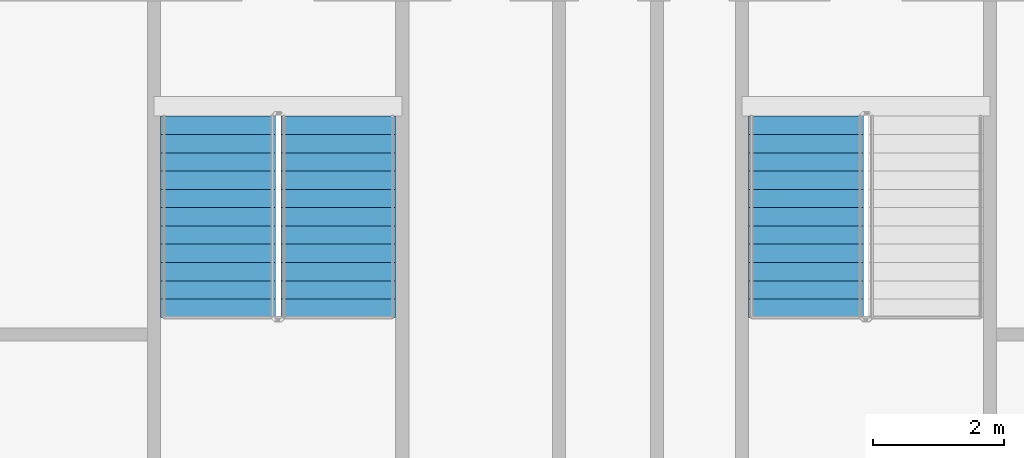
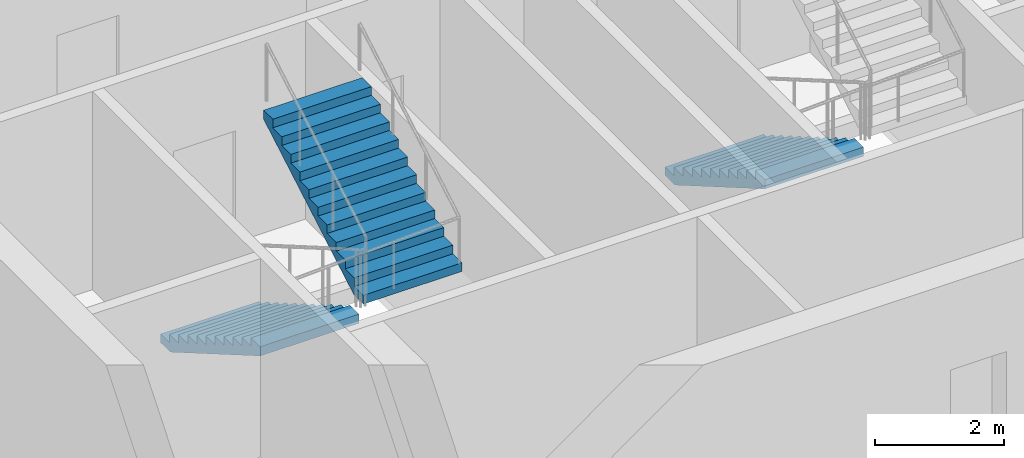
# One storey, part 8 of 15: 3 stair flights, 2 elements without a shape of their own.
"""IFC4 building model written with IfcOpenShell, lengths in metres."""

import ifcopenshell
import ifcopenshell.guid

model = None  # the IFC model being written
_history = None  # IfcOwnerHistory: only IFC2X3 demands one
_inside = {}  # id of a spatial element -> (the spatial element, [elements in it])
_under = {}  # id of a project, library or spatial element -> (it, [spatial elements below it])
_declared = {}  # id of a project -> (the project, [libraries it declares])
_typed = {}  # id of a type object -> (the type object, [elements of that type])
_made_of = {}  # id of a material, layer set ... -> (it, [elements and type objects made of it])


def new_model(schema):
    """Start an empty IFC model of exactly this schema.

    Asked for "IFC4X3", IfcOpenShell would pick the latest addendum, in which some entities
    have other attributes; the version numbers below select the first issue.
    IFC2X3 requires an IfcOwnerHistory on every rooted entity: one is made here for all.
    """
    global model, _history
    if schema == "IFC4X3":
        model = ifcopenshell.file(schema_version=(4, 3, 0, 0))
    else:
        model = ifcopenshell.file(schema=schema)
    _inside.clear()
    _under.clear()
    _declared.clear()
    _typed.clear()
    _made_of.clear()
    _history = None
    if model.schema == "IFC2X3":
        org = make("IfcOrganization", Name="unknown")
        user = make(
            "IfcPersonAndOrganization",
            ThePerson=make("IfcPerson", FamilyName="unknown"),
            TheOrganization=org,
        )
        app = make(
            "IfcApplication",
            ApplicationDeveloper=org,
            Version="unknown",
            ApplicationFullName="unknown",
            ApplicationIdentifier="unknown",
        )
        _history = make(
            "IfcOwnerHistory",
            OwningUser=user,
            OwningApplication=app,
            ChangeAction="ADDED",
            CreationDate=0,
        )
    return model


def make(cls, **values):
    """One entity of the class cls with the attributes given. An attribute that is None is left unset."""
    return model.create_entity(
        cls, **{name: value for name, value in values.items() if value is not None}
    )


def rooted(cls, **values):
    """An entity with a GlobalId (a new one), such as an element, a storey or a relation."""
    return make(cls, GlobalId=ifcopenshell.guid.new(), OwnerHistory=_history, **values)


def si_unit(unit_type, name, prefix=None):
    """IfcSIUnit, for example si_unit("LENGTHUNIT", "METRE", prefix="MILLI")."""
    return make("IfcSIUnit", UnitType=unit_type, Prefix=prefix, Name=name)


def assignment(units):
    """IfcUnitAssignment: the units of a project."""
    return None if units is None else make("IfcUnitAssignment", Units=units)


def point(xyz):
    """IfcCartesianPoint."""
    return None if xyz is None else make("IfcCartesianPoint", Coordinates=xyz)


def direction(xyz):
    """IfcDirection."""
    return None if xyz is None else make("IfcDirection", DirectionRatios=xyz)


def frame(location, z_axis=None, x_axis=None):
    """IfcAxis2Placement3D, a coordinate frame: its origin and axes. An axis left out is left unset."""
    return make(
        "IfcAxis2Placement3D",
        Location=point(location),
        Axis=direction(z_axis),
        RefDirection=direction(x_axis),
    )


def origin():
    """The frame at (0, 0, 0) with its axes left unset."""
    return frame((0.0, 0.0, 0.0))


def place(relative_to, where):
    """IfcLocalPlacement: puts the frame where relative to a parent placement (None: the world)."""
    return make(
        "IfcLocalPlacement", PlacementRelTo=relative_to, RelativePlacement=where
    )


def context(
    kind, dimensions, precision=None, world=None, true_north=None, identifier=None
):
    """IfcGeometricRepresentationContext, for example the 3D "Model" context."""
    return make(
        "IfcGeometricRepresentationContext",
        ContextIdentifier=identifier,
        ContextType=kind,
        CoordinateSpaceDimension=dimensions,
        Precision=precision,
        WorldCoordinateSystem=world,
        TrueNorth=true_north,
    )


def subcontext(parent, identifier, kind, view, scale=None):
    """IfcGeometricRepresentationSubContext, for example "Body" below "Model"."""
    return make(
        "IfcGeometricRepresentationSubContext",
        ContextIdentifier=identifier,
        ContextType=kind,
        ParentContext=parent,
        TargetScale=scale,
        TargetView=view,
    )


def project(units=None, contexts=None):
    """IfcProject with its units and contexts."""
    return rooted(
        "IfcProject",
        Name="project",
        RepresentationContexts=contexts,
        UnitsInContext=assignment(units),
    )


def spatial(cls, under=None, at=None, **own):
    """A site, building, storey or space (cls), placed at a placement, below another one or the project."""
    s = rooted(cls, ObjectPlacement=at, **own)
    if under is not None:
        _under.setdefault(under.id(), (under, []))[1].append(s)
    return s


def faces_of(points, faces, orient=None, outer=None):
    """IfcFace entities. A face is a list of loops; a loop is a list of indices into points, from 0.

    orient and outer hold one flag for each loop. By default every Orientation is true, the
    first loop of a face is its IfcFaceOuterBound and the others are IfcFaceBound.
    """
    made = []
    for i, loops in enumerate(faces):
        bounds = []
        for j, loop in enumerate(loops):
            is_outer = j == 0 if outer is None else outer[i][j]
            bounds.append(
                make(
                    "IfcFaceOuterBound" if is_outer else "IfcFaceBound",
                    Bound=make("IfcPolyLoop", Polygon=[points[k] for k in loop]),
                    Orientation=True if orient is None else orient[i][j],
                )
            )
        made.append(make("IfcFace", Bounds=bounds))
    return made


def faceted_brep(points, faces, orient=None, outer=None, voids=None):
    """IfcFacetedBrep: a solid bounded by flat faces; with voids (closed shells), ...WithVoids."""
    shared = [point(p) for p in points]
    hull = make("IfcClosedShell", CfsFaces=faces_of(shared, faces, orient, outer))
    if voids is None:
        return make("IfcFacetedBrep", Outer=hull)
    return make(
        "IfcFacetedBrepWithVoids",
        Outer=hull,
        Voids=[
            make(cls, CfsFaces=faces_of(shared, fs, o, b)) for cls, fs, o, b in voids
        ],
    )


def shape(context_of_items, identifier, shape_type, items):
    """IfcShapeRepresentation: the items that make up one representation, for example the "Body"."""
    return make(
        "IfcShapeRepresentation",
        ContextOfItems=context_of_items,
        RepresentationIdentifier=identifier,
        RepresentationType=shape_type,
        Items=items,
    )


def material(Name=None, Category=None):
    """IfcMaterial."""
    return make("IfcMaterial", Name=Name, Category=Category)


def made_of(thing, what):
    """Note that an element or type object is made of a material, layer set ...; save() writes the relation."""
    if what is not None:
        _made_of.setdefault(what.id(), (what, []))[1].append(thing)
    return thing


def type_object(cls, material=None, **own):
    """A type object (cls), such as IfcWallType, which elements share."""
    return made_of(rooted(cls, **own), material)


def element(
    cls,
    number,
    at=None,
    inside=None,
    cuts=None,
    type_object=None,
    material=None,
    context=None,
    identifier="Body",
    shape_type=None,
    held_by="IfcProductDefinitionShape",
    body=None,
    shapes=None,
    **own,
):
    """One element of the class cls, such as IfcWall. Its Tag is "e" and its number.

    at: its placement. inside: the storey or other place that contains it. cuts: it is an
    opening in that element (IfcRelVoidsElement). A single representation is given by context,
    identifier, shape_type and body (its items); several are given by shapes. held_by: the class
    of the entity that holds the representations. save() writes the other relations.
    """
    e = rooted(cls, Tag="e%d" % number, ObjectPlacement=at, **own)
    if body is not None:
        shapes = [shape(context, identifier, shape_type, body)]
    if shapes is not None:
        e.Representation = make(held_by, Representations=shapes)
    if inside is not None:
        _inside.setdefault(inside.id(), (inside, []))[1].append(e)
    if cuts is not None:
        rooted(
            "IfcRelVoidsElement", RelatingBuildingElement=cuts, RelatedOpeningElement=e
        )
    if type_object is not None:
        _typed.setdefault(type_object.id(), (type_object, []))[1].append(e)
    return made_of(e, material)


def aggregate(whole, parts):
    """IfcRelAggregates: a whole, such as a stair, and the parts it consists of."""
    return rooted("IfcRelAggregates", RelatingObject=whole, RelatedObjects=parts)


def save(model, path):
    """Write the relations noted so far, then the file.

    IfcRelAggregates (storeys below a building ...), IfcRelContainedInSpatialStructure (elements
    in a storey), IfcRelDefinesByType, IfcRelAssociatesMaterial and IfcRelDeclares: one each for
    every whole, place, type object, material and project.
    """
    for whole, parts in _under.values():
        aggregate(whole, parts)
    for where, things in _inside.values():
        rooted(
            "IfcRelContainedInSpatialStructure",
            RelatedElements=things,
            RelatingStructure=where,
        )
    for kind, things in _typed.values():
        rooted("IfcRelDefinesByType", RelatedObjects=things, RelatingType=kind)
    for what, things in _made_of.values():
        rooted("IfcRelAssociatesMaterial", RelatedObjects=things, RelatingMaterial=what)
    for by, libraries in _declared.values():
        rooted("IfcRelDeclares", RelatingContext=by, RelatedDefinitions=libraries)
    model.write(path)


model = new_model("IFC4")

# Units and contexts
model_context = context("Model", 3, precision=1e-05, world=origin(), true_north=direction((0.0, 1.0)))
body_context = subcontext(model_context, "Body", "Model", "MODEL_VIEW")
ifc_project = project(units=[si_unit("LENGTHUNIT", "METRE"), si_unit("AREAUNIT", "SQUARE_METRE"), si_unit("VOLUMEUNIT", "CUBIC_METRE"), si_unit("PLANEANGLEUNIT", "RADIAN"), si_unit("MASSUNIT", "GRAM", prefix="KILO")], contexts=[model_context])

# Site, building, storey
site_placement = place(None, origin())
site = spatial("IfcSite", under=ifc_project, at=site_placement, CompositionType="ELEMENT")
building_placement = place(site_placement, origin())
building = spatial("IfcBuilding", under=site, at=building_placement, Name="Tarsis Ring Headquarters", CompositionType="ELEMENT")
storey_placement = place(building_placement, frame((0.0, 0.0, 319.699951171875)))
storey = spatial("IfcBuildingStorey", under=building, at=storey_placement, Name="L75", CompositionType="ELEMENT", Elevation=319.699951171875)

# Stair, stair flights
ifc_material_1 = material(Name="Core stair 1760")
stair_type = type_object("IfcStairType", Name="Core stair 1760", PredefinedType="HALF_TURN_STAIR", material=ifc_material_1)
stair_1_placement = place(storey_placement, origin())
stair_1 = element("IfcStair", 1, at=stair_1_placement, inside=storey, type_object=stair_type, Name="L75 Exit stair C", PredefinedType="HALF_TURN_STAIR")
ifc_material_2 = material(Name="Concrete C40/50", Category="concrete")
stair_flight_type = type_object("IfcStairFlightType", Name="Core stair flight 1760", PredefinedType="STRAIGHT", material=ifc_material_2)
stair_flight_1_placement = place(storey_placement, frame((-5.419921875, -3.659912109375, 0.0), z_axis=(0.0, 0.0, 1.0), x_axis=(0.0, -1.0, 0.0)))
stair_flight_1 = element("IfcStairFlight", 2, at=stair_flight_1_placement, type_object=stair_flight_type, Name="Stair ST3 flight 1", NumberOfRisers=12, NumberOfTreads=11, PredefinedType="STRAIGHT", RiserHeight=0.1625, TreadLength=0.28, context=body_context, shape_type="Brep", body=[
    faceted_brep([(0.0, 0.8798828125, 0.0), (0.0, 0.8798828125, 0.16259765625), (0.280029296875, 0.8798828125, 0.16259765625), (0.280029296875, 0.8798828125, 0.324951171875), (0.56005859375, 0.8798828125, 0.324951171875), (0.56005859375, 0.8798828125, 0.487548828125), (0.840087890625, 0.8798828125, 0.487548828125), (0.840087890625, 0.8798828125, 0.64990234375), (1.1201171875, 0.8798828125, 0.64990234375), (1.1201171875, 0.8798828125, 0.8125), (1.39990234375, 0.8798828125, 0.8125), (1.39990234375, 0.8798828125, 0.97509765625), (1.679931640625, 0.8798828125, 0.97509765625), (1.679931640625, 0.8798828125, 1.137451171875), (1.9599609375, 0.8798828125, 1.137451171875), (1.9599609375, 0.8798828125, 1.300048828125), (2.239990234375, 0.8798828125, 1.300048828125), (2.239990234375, 0.8798828125, 1.46240234375), (2.52001953125, 0.8798828125, 1.46240234375), (2.52001953125, 0.8798828125, 1.625), (2.800048828125, 0.8798828125, 1.625), (2.800048828125, 0.8798828125, 1.78759765625), (3.080078125, 0.8798828125, 1.78759765625), (3.080078125, 0.8798828125, 1.6142578125), (0.298583984375, 0.8798828125, 0.0), (0.298583984375, -0.8798828125, 0.0), (3.080078125, -0.8798828125, 1.6142578125), (3.080078125, -0.8798828125, 1.78759765625), (2.800048828125, -0.8798828125, 1.78759765625), (2.800048828125, -0.8798828125, 1.625), (2.52001953125, -0.8798828125, 1.625), (2.52001953125, -0.8798828125, 1.46240234375), (2.239990234375, -0.8798828125, 1.46240234375), (2.239990234375, -0.8798828125, 1.300048828125), (1.9599609375, -0.8798828125, 1.300048828125), (1.9599609375, -0.8798828125, 1.137451171875), (1.679931640625, -0.8798828125, 1.137451171875), (1.679931640625, -0.8798828125, 0.97509765625), (1.39990234375, -0.8798828125, 0.97509765625), (1.39990234375, -0.8798828125, 0.8125), (1.1201171875, -0.8798828125, 0.8125), (1.1201171875, -0.8798828125, 0.64990234375), (0.840087890625, -0.8798828125, 0.64990234375), (0.840087890625, -0.8798828125, 0.487548828125), (0.56005859375, -0.8798828125, 0.487548828125), (0.56005859375, -0.8798828125, 0.324951171875), (0.280029296875, -0.8798828125, 0.324951171875), (0.280029296875, -0.8798828125, 0.16259765625), (0.0, -0.8798828125, 0.16259765625), (0.0, -0.8798828125, 0.0), (0.0, -0.43994140625, 0.16259765625), (0.0, -0.43994140625, 0.0), (0.0, 0.0, 0.16259765625), (0.0, 0.0, 0.0), (0.0, 0.43994140625, 0.16259765625), (0.0, 0.43994140625, 0.0), (0.280029296875, -0.43994140625, 0.16259765625), (0.280029296875, 0.0, 0.16259765625), (0.280029296875, 0.43994140625, 0.16259765625), (0.280029296875, -0.43994140625, 0.324951171875), (0.280029296875, 0.0, 0.324951171875), (0.280029296875, 0.43994140625, 0.324951171875), (0.56005859375, -0.43994140625, 0.324951171875), (0.56005859375, 0.0, 0.324951171875), (0.56005859375, 0.43994140625, 0.324951171875), (0.56005859375, -0.43994140625, 0.487548828125), (0.56005859375, 0.0, 0.487548828125), (0.56005859375, 0.43994140625, 0.487548828125), (0.840087890625, -0.43994140625, 0.487548828125), (0.840087890625, 0.0, 0.487548828125), (0.840087890625, 0.43994140625, 0.487548828125), (0.840087890625, -0.43994140625, 0.64990234375), (0.840087890625, 0.0, 0.64990234375), (0.840087890625, 0.43994140625, 0.64990234375), (1.1201171875, -0.43994140625, 0.64990234375), (1.1201171875, 0.0, 0.64990234375), (1.1201171875, 0.43994140625, 0.64990234375), (1.1201171875, -0.43994140625, 0.8125), (1.1201171875, 0.0, 0.8125), (1.1201171875, 0.43994140625, 0.8125), (1.39990234375, -0.43994140625, 0.8125), (1.39990234375, 0.0, 0.8125), (1.39990234375, 0.43994140625, 0.8125), (1.39990234375, -0.43994140625, 0.97509765625), (1.39990234375, 0.0, 0.97509765625), (1.39990234375, 0.43994140625, 0.97509765625), (1.679931640625, -0.43994140625, 0.97509765625), (1.679931640625, 0.0, 0.97509765625), (1.679931640625, 0.43994140625, 0.97509765625), (1.679931640625, -0.43994140625, 1.137451171875), (1.679931640625, 0.0, 1.137451171875), (1.679931640625, 0.43994140625, 1.137451171875), (1.9599609375, -0.43994140625, 1.137451171875), (1.9599609375, 0.0, 1.137451171875), (1.9599609375, 0.43994140625, 1.137451171875), (1.9599609375, -0.43994140625, 1.300048828125), (1.9599609375, 0.0, 1.300048828125), (1.9599609375, 0.43994140625, 1.300048828125), (2.239990234375, -0.43994140625, 1.300048828125), (2.239990234375, 0.0, 1.300048828125), (2.239990234375, 0.43994140625, 1.300048828125), (2.239990234375, -0.43994140625, 1.46240234375), (2.239990234375, 0.0, 1.46240234375), (2.239990234375, 0.43994140625, 1.46240234375), (2.52001953125, -0.43994140625, 1.46240234375), (2.52001953125, 0.0, 1.46240234375), (2.52001953125, 0.43994140625, 1.46240234375), (2.52001953125, -0.43994140625, 1.625), (2.52001953125, 0.0, 1.625), (2.52001953125, 0.43994140625, 1.625), (2.800048828125, -0.43994140625, 1.625), (2.800048828125, 0.0, 1.625), (2.800048828125, 0.43994140625, 1.625), (2.800048828125, -0.43994140625, 1.78759765625), (2.800048828125, 0.0, 1.78759765625), (2.800048828125, 0.43994140625, 1.78759765625), (3.080078125, -0.43994140625, 1.78759765625), (3.080078125, 0.0, 1.78759765625), (3.080078125, 0.43994140625, 1.78759765625), (3.080078125, -0.43994140625, 1.6142578125), (3.080078125, 0.0, 1.6142578125), (3.080078125, 0.43994140625, 1.6142578125), (0.298583984375, -0.43994140625, 0.0), (0.298583984375, 0.0, 0.0), (0.298583984375, 0.43994140625, 0.0)], [[[0, 1, 2, 3, 4, 5, 6, 7, 8, 9, 10, 11, 12, 13, 14, 15, 16, 17, 18, 19, 20, 21, 22, 23, 24]], [[25, 26, 27, 28, 29, 30, 31, 32, 33, 34, 35, 36, 37, 38, 39, 40, 41, 42, 43, 44, 45, 46, 47, 48, 49]], [[49, 48, 50, 51]], [[51, 50, 52, 53]], [[53, 52, 54, 55]], [[55, 54, 1, 0]], [[48, 47, 56, 50]], [[50, 56, 57, 52]], [[52, 57, 58, 54]], [[54, 58, 2, 1]], [[47, 46, 59, 56]], [[56, 59, 60, 57]], [[57, 60, 61, 58]], [[58, 61, 3, 2]], [[46, 45, 62, 59]], [[59, 62, 63, 60]], [[60, 63, 64, 61]], [[61, 64, 4, 3]], [[45, 44, 65, 62]], [[62, 65, 66, 63]], [[63, 66, 67, 64]], [[64, 67, 5, 4]], [[44, 43, 68, 65]], [[65, 68, 69, 66]], [[66, 69, 70, 67]], [[67, 70, 6, 5]], [[43, 42, 71, 68]], [[68, 71, 72, 69]], [[69, 72, 73, 70]], [[70, 73, 7, 6]], [[42, 41, 74, 71]], [[71, 74, 75, 72]], [[72, 75, 76, 73]], [[73, 76, 8, 7]], [[41, 40, 77, 74]], [[74, 77, 78, 75]], [[75, 78, 79, 76]], [[76, 79, 9, 8]], [[40, 39, 80, 77]], [[77, 80, 81, 78]], [[78, 81, 82, 79]], [[79, 82, 10, 9]], [[39, 38, 83, 80]], [[80, 83, 84, 81]], [[81, 84, 85, 82]], [[82, 85, 11, 10]], [[38, 37, 86, 83]], [[83, 86, 87, 84]], [[84, 87, 88, 85]], [[85, 88, 12, 11]], [[37, 36, 89, 86]], [[86, 89, 90, 87]], [[87, 90, 91, 88]], [[88, 91, 13, 12]], [[36, 35, 92, 89]], [[89, 92, 93, 90]], [[90, 93, 94, 91]], [[91, 94, 14, 13]], [[35, 34, 95, 92]], [[92, 95, 96, 93]], [[93, 96, 97, 94]], [[94, 97, 15, 14]], [[34, 33, 98, 95]], [[95, 98, 99, 96]], [[96, 99, 100, 97]], [[97, 100, 16, 15]], [[33, 32, 101, 98]], [[98, 101, 102, 99]], [[99, 102, 103, 100]], [[100, 103, 17, 16]], [[32, 31, 104, 101]], [[101, 104, 105, 102]], [[102, 105, 106, 103]], [[103, 106, 18, 17]], [[31, 30, 107, 104]], [[104, 107, 108, 105]], [[105, 108, 109, 106]], [[106, 109, 19, 18]], [[30, 29, 110, 107]], [[107, 110, 111, 108]], [[108, 111, 112, 109]], [[109, 112, 20, 19]], [[29, 28, 113, 110]], [[110, 113, 114, 111]], [[111, 114, 115, 112]], [[112, 115, 21, 20]], [[28, 27, 116, 113]], [[113, 116, 117, 114]], [[114, 117, 118, 115]], [[115, 118, 22, 21]], [[27, 26, 119, 116]], [[116, 119, 120, 117]], [[117, 120, 121, 118]], [[118, 121, 23, 22]], [[26, 25, 122, 119]], [[119, 122, 123, 120]], [[120, 123, 124, 121]], [[121, 124, 24, 23]], [[25, 49, 51, 122]], [[122, 51, 53, 123]], [[123, 53, 55, 124]], [[124, 55, 0, 24]]]),
])
stair_flight_2_placement = place(storey_placement, frame((-3.580078125, -6.739990234375, 1.949951171875), z_axis=(0.0, 0.0, 1.0), x_axis=(0.0, 1.0, 0.0)))
stair_flight_2 = element("IfcStairFlight", 3, at=stair_flight_2_placement, type_object=stair_flight_type, Name="Stair ST3 flight 2", NumberOfRisers=12, NumberOfTreads=11, PredefinedType="STRAIGHT", RiserHeight=0.1625, TreadLength=0.28, context=body_context, shape_type="Brep", body=[
    faceted_brep([(0.0, 0.8798828125, 0.0), (0.0, 0.8798828125, 0.16259765625), (0.280029296875, 0.8798828125, 0.16259765625), (0.280029296875, 0.8798828125, 0.324951171875), (0.56005859375, 0.8798828125, 0.324951171875), (0.56005859375, 0.8798828125, 0.487548828125), (0.840087890625, 0.8798828125, 0.487548828125), (0.840087890625, 0.8798828125, 0.64990234375), (1.1201171875, 0.8798828125, 0.64990234375), (1.1201171875, 0.8798828125, 0.8125), (1.39990234375, 0.8798828125, 0.8125), (1.39990234375, 0.8798828125, 0.97509765625), (1.679931640625, 0.8798828125, 0.97509765625), (1.679931640625, 0.8798828125, 1.137451171875), (1.9599609375, 0.8798828125, 1.137451171875), (1.9599609375, 0.8798828125, 1.300048828125), (2.239990234375, 0.8798828125, 1.300048828125), (2.239990234375, 0.8798828125, 1.46240234375), (2.52001953125, 0.8798828125, 1.46240234375), (2.52001953125, 0.8798828125, 1.625), (2.800048828125, 0.8798828125, 1.625), (2.800048828125, 0.8798828125, 1.78759765625), (3.080078125, 0.8798828125, 1.78759765625), (3.080078125, 0.8798828125, 1.6142578125), (0.298583984375, 0.8798828125, 0.0), (0.298583984375, -0.8798828125, 0.0), (3.080078125, -0.8798828125, 1.6142578125), (3.080078125, -0.8798828125, 1.78759765625), (2.800048828125, -0.8798828125, 1.78759765625), (2.800048828125, -0.8798828125, 1.625), (2.52001953125, -0.8798828125, 1.625), (2.52001953125, -0.8798828125, 1.46240234375), (2.239990234375, -0.8798828125, 1.46240234375), (2.239990234375, -0.8798828125, 1.300048828125), (1.9599609375, -0.8798828125, 1.300048828125), (1.9599609375, -0.8798828125, 1.137451171875), (1.679931640625, -0.8798828125, 1.137451171875), (1.679931640625, -0.8798828125, 0.97509765625), (1.39990234375, -0.8798828125, 0.97509765625), (1.39990234375, -0.8798828125, 0.8125), (1.1201171875, -0.8798828125, 0.8125), (1.1201171875, -0.8798828125, 0.64990234375), (0.840087890625, -0.8798828125, 0.64990234375), (0.840087890625, -0.8798828125, 0.487548828125), (0.56005859375, -0.8798828125, 0.487548828125), (0.56005859375, -0.8798828125, 0.324951171875), (0.280029296875, -0.8798828125, 0.324951171875), (0.280029296875, -0.8798828125, 0.16259765625), (0.0, -0.8798828125, 0.16259765625), (0.0, -0.8798828125, 0.0), (0.0, -0.43994140625, 0.16259765625), (0.0, -0.43994140625, 0.0), (0.0, 0.0, 0.16259765625), (0.0, 0.0, 0.0), (0.0, 0.43994140625, 0.16259765625), (0.0, 0.43994140625, 0.0), (0.280029296875, -0.43994140625, 0.16259765625), (0.280029296875, 0.0, 0.16259765625), (0.280029296875, 0.43994140625, 0.16259765625), (0.280029296875, -0.43994140625, 0.324951171875), (0.280029296875, 0.0, 0.324951171875), (0.280029296875, 0.43994140625, 0.324951171875), (0.56005859375, -0.43994140625, 0.324951171875), (0.56005859375, 0.0, 0.324951171875), (0.56005859375, 0.43994140625, 0.324951171875), (0.56005859375, -0.43994140625, 0.487548828125), (0.56005859375, 0.0, 0.487548828125), (0.56005859375, 0.43994140625, 0.487548828125), (0.840087890625, -0.43994140625, 0.487548828125), (0.840087890625, 0.0, 0.487548828125), (0.840087890625, 0.43994140625, 0.487548828125), (0.840087890625, -0.43994140625, 0.64990234375), (0.840087890625, 0.0, 0.64990234375), (0.840087890625, 0.43994140625, 0.64990234375), (1.1201171875, -0.43994140625, 0.64990234375), (1.1201171875, 0.0, 0.64990234375), (1.1201171875, 0.43994140625, 0.64990234375), (1.1201171875, -0.43994140625, 0.8125), (1.1201171875, 0.0, 0.8125), (1.1201171875, 0.43994140625, 0.8125), (1.39990234375, -0.43994140625, 0.8125), (1.39990234375, 0.0, 0.8125), (1.39990234375, 0.43994140625, 0.8125), (1.39990234375, -0.43994140625, 0.97509765625), (1.39990234375, 0.0, 0.97509765625), (1.39990234375, 0.43994140625, 0.97509765625), (1.679931640625, -0.43994140625, 0.97509765625), (1.679931640625, 0.0, 0.97509765625), (1.679931640625, 0.43994140625, 0.97509765625), (1.679931640625, -0.43994140625, 1.137451171875), (1.679931640625, 0.0, 1.137451171875), (1.679931640625, 0.43994140625, 1.137451171875), (1.9599609375, -0.43994140625, 1.137451171875), (1.9599609375, 0.0, 1.137451171875), (1.9599609375, 0.43994140625, 1.137451171875), (1.9599609375, -0.43994140625, 1.300048828125), (1.9599609375, 0.0, 1.300048828125), (1.9599609375, 0.43994140625, 1.300048828125), (2.239990234375, -0.43994140625, 1.300048828125), (2.239990234375, 0.0, 1.300048828125), (2.239990234375, 0.43994140625, 1.300048828125), (2.239990234375, -0.43994140625, 1.46240234375), (2.239990234375, 0.0, 1.46240234375), (2.239990234375, 0.43994140625, 1.46240234375), (2.52001953125, -0.43994140625, 1.46240234375), (2.52001953125, 0.0, 1.46240234375), (2.52001953125, 0.43994140625, 1.46240234375), (2.52001953125, -0.43994140625, 1.625), (2.52001953125, 0.0, 1.625), (2.52001953125, 0.43994140625, 1.625), (2.800048828125, -0.43994140625, 1.625), (2.800048828125, 0.0, 1.625), (2.800048828125, 0.43994140625, 1.625), (2.800048828125, -0.43994140625, 1.78759765625), (2.800048828125, 0.0, 1.78759765625), (2.800048828125, 0.43994140625, 1.78759765625), (3.080078125, -0.43994140625, 1.78759765625), (3.080078125, 0.0, 1.78759765625), (3.080078125, 0.43994140625, 1.78759765625), (3.080078125, -0.43994140625, 1.6142578125), (3.080078125, 0.0, 1.6142578125), (3.080078125, 0.43994140625, 1.6142578125), (0.298583984375, -0.43994140625, 0.0), (0.298583984375, 0.0, 0.0), (0.298583984375, 0.43994140625, 0.0)], [[[0, 1, 2, 3, 4, 5, 6, 7, 8, 9, 10, 11, 12, 13, 14, 15, 16, 17, 18, 19, 20, 21, 22, 23, 24]], [[25, 26, 27, 28, 29, 30, 31, 32, 33, 34, 35, 36, 37, 38, 39, 40, 41, 42, 43, 44, 45, 46, 47, 48, 49]], [[49, 48, 50, 51]], [[51, 50, 52, 53]], [[53, 52, 54, 55]], [[55, 54, 1, 0]], [[48, 47, 56, 50]], [[50, 56, 57, 52]], [[52, 57, 58, 54]], [[54, 58, 2, 1]], [[47, 46, 59, 56]], [[56, 59, 60, 57]], [[57, 60, 61, 58]], [[58, 61, 3, 2]], [[46, 45, 62, 59]], [[59, 62, 63, 60]], [[60, 63, 64, 61]], [[61, 64, 4, 3]], [[45, 44, 65, 62]], [[62, 65, 66, 63]], [[63, 66, 67, 64]], [[64, 67, 5, 4]], [[44, 43, 68, 65]], [[65, 68, 69, 66]], [[66, 69, 70, 67]], [[67, 70, 6, 5]], [[43, 42, 71, 68]], [[68, 71, 72, 69]], [[69, 72, 73, 70]], [[70, 73, 7, 6]], [[42, 41, 74, 71]], [[71, 74, 75, 72]], [[72, 75, 76, 73]], [[73, 76, 8, 7]], [[41, 40, 77, 74]], [[74, 77, 78, 75]], [[75, 78, 79, 76]], [[76, 79, 9, 8]], [[40, 39, 80, 77]], [[77, 80, 81, 78]], [[78, 81, 82, 79]], [[79, 82, 10, 9]], [[39, 38, 83, 80]], [[80, 83, 84, 81]], [[81, 84, 85, 82]], [[82, 85, 11, 10]], [[38, 37, 86, 83]], [[83, 86, 87, 84]], [[84, 87, 88, 85]], [[85, 88, 12, 11]], [[37, 36, 89, 86]], [[86, 89, 90, 87]], [[87, 90, 91, 88]], [[88, 91, 13, 12]], [[36, 35, 92, 89]], [[89, 92, 93, 90]], [[90, 93, 94, 91]], [[91, 94, 14, 13]], [[35, 34, 95, 92]], [[92, 95, 96, 93]], [[93, 96, 97, 94]], [[94, 97, 15, 14]], [[34, 33, 98, 95]], [[95, 98, 99, 96]], [[96, 99, 100, 97]], [[97, 100, 16, 15]], [[33, 32, 101, 98]], [[98, 101, 102, 99]], [[99, 102, 103, 100]], [[100, 103, 17, 16]], [[32, 31, 104, 101]], [[101, 104, 105, 102]], [[102, 105, 106, 103]], [[103, 106, 18, 17]], [[31, 30, 107, 104]], [[104, 107, 108, 105]], [[105, 108, 109, 106]], [[106, 109, 19, 18]], [[30, 29, 110, 107]], [[107, 110, 111, 108]], [[108, 111, 112, 109]], [[109, 112, 20, 19]], [[29, 28, 113, 110]], [[110, 113, 114, 111]], [[111, 114, 115, 112]], [[112, 115, 21, 20]], [[28, 27, 116, 113]], [[113, 116, 117, 114]], [[114, 117, 118, 115]], [[115, 118, 22, 21]], [[27, 26, 119, 116]], [[116, 119, 120, 117]], [[117, 120, 121, 118]], [[118, 121, 23, 22]], [[26, 25, 122, 119]], [[119, 122, 123, 120]], [[120, 123, 124, 121]], [[121, 124, 24, 23]], [[25, 49, 51, 122]], [[122, 51, 53, 123]], [[123, 53, 55, 124]], [[124, 55, 0, 24]]]),
])
aggregate(stair_1, [stair_flight_1, stair_flight_2])

# Stair, stair flight
stair_2_placement = place(storey_placement, origin())
stair_2 = element("IfcStair", 4, at=stair_2_placement, inside=storey, type_object=stair_type, Name="L75 Exit stair D", PredefinedType="HALF_TURN_STAIR")
stair_flight_3_placement = place(storey_placement, frame((3.580078125, -3.659912109375, 0.0), z_axis=(0.0, 0.0, 1.0), x_axis=(0.0, -1.0, 0.0)))
stair_flight_3 = element("IfcStairFlight", 5, at=stair_flight_3_placement, type_object=stair_flight_type, Name="Stair ST4 flight 1", NumberOfRisers=12, NumberOfTreads=11, PredefinedType="STRAIGHT", RiserHeight=0.1625, TreadLength=0.28, context=body_context, shape_type="Brep", body=[
    faceted_brep([(0.0, 0.8798828125, 0.0), (0.0, 0.8798828125, 0.16259765625), (0.280029296875, 0.8798828125, 0.16259765625), (0.280029296875, 0.8798828125, 0.324951171875), (0.56005859375, 0.8798828125, 0.324951171875), (0.56005859375, 0.8798828125, 0.487548828125), (0.840087890625, 0.8798828125, 0.487548828125), (0.840087890625, 0.8798828125, 0.64990234375), (1.1201171875, 0.8798828125, 0.64990234375), (1.1201171875, 0.8798828125, 0.8125), (1.39990234375, 0.8798828125, 0.8125), (1.39990234375, 0.8798828125, 0.97509765625), (1.679931640625, 0.8798828125, 0.97509765625), (1.679931640625, 0.8798828125, 1.137451171875), (1.9599609375, 0.8798828125, 1.137451171875), (1.9599609375, 0.8798828125, 1.300048828125), (2.239990234375, 0.8798828125, 1.300048828125), (2.239990234375, 0.8798828125, 1.46240234375), (2.52001953125, 0.8798828125, 1.46240234375), (2.52001953125, 0.8798828125, 1.625), (2.800048828125, 0.8798828125, 1.625), (2.800048828125, 0.8798828125, 1.78759765625), (3.080078125, 0.8798828125, 1.78759765625), (3.080078125, 0.8798828125, 1.6142578125), (0.298583984375, 0.8798828125, 0.0), (0.298583984375, -0.8798828125, 0.0), (3.080078125, -0.8798828125, 1.6142578125), (3.080078125, -0.8798828125, 1.78759765625), (2.800048828125, -0.8798828125, 1.78759765625), (2.800048828125, -0.8798828125, 1.625), (2.52001953125, -0.8798828125, 1.625), (2.52001953125, -0.8798828125, 1.46240234375), (2.239990234375, -0.8798828125, 1.46240234375), (2.239990234375, -0.8798828125, 1.300048828125), (1.9599609375, -0.8798828125, 1.300048828125), (1.9599609375, -0.8798828125, 1.137451171875), (1.679931640625, -0.8798828125, 1.137451171875), (1.679931640625, -0.8798828125, 0.97509765625), (1.39990234375, -0.8798828125, 0.97509765625), (1.39990234375, -0.8798828125, 0.8125), (1.1201171875, -0.8798828125, 0.8125), (1.1201171875, -0.8798828125, 0.64990234375), (0.840087890625, -0.8798828125, 0.64990234375), (0.840087890625, -0.8798828125, 0.487548828125), (0.56005859375, -0.8798828125, 0.487548828125), (0.56005859375, -0.8798828125, 0.324951171875), (0.280029296875, -0.8798828125, 0.324951171875), (0.280029296875, -0.8798828125, 0.16259765625), (0.0, -0.8798828125, 0.16259765625), (0.0, -0.8798828125, 0.0), (0.0, -0.43994140625, 0.16259765625), (0.0, -0.43994140625, 0.0), (0.0, 0.0, 0.16259765625), (0.0, 0.0, 0.0), (0.0, 0.43994140625, 0.16259765625), (0.0, 0.43994140625, 0.0), (0.280029296875, -0.43994140625, 0.16259765625), (0.280029296875, 0.0, 0.16259765625), (0.280029296875, 0.43994140625, 0.16259765625), (0.280029296875, -0.43994140625, 0.324951171875), (0.280029296875, 0.0, 0.324951171875), (0.280029296875, 0.43994140625, 0.324951171875), (0.56005859375, -0.43994140625, 0.324951171875), (0.56005859375, 0.0, 0.324951171875), (0.56005859375, 0.43994140625, 0.324951171875), (0.56005859375, -0.43994140625, 0.487548828125), (0.56005859375, 0.0, 0.487548828125), (0.56005859375, 0.43994140625, 0.487548828125), (0.840087890625, -0.43994140625, 0.487548828125), (0.840087890625, 0.0, 0.487548828125), (0.840087890625, 0.43994140625, 0.487548828125), (0.840087890625, -0.43994140625, 0.64990234375), (0.840087890625, 0.0, 0.64990234375), (0.840087890625, 0.43994140625, 0.64990234375), (1.1201171875, -0.43994140625, 0.64990234375), (1.1201171875, 0.0, 0.64990234375), (1.1201171875, 0.43994140625, 0.64990234375), (1.1201171875, -0.43994140625, 0.8125), (1.1201171875, 0.0, 0.8125), (1.1201171875, 0.43994140625, 0.8125), (1.39990234375, -0.43994140625, 0.8125), (1.39990234375, 0.0, 0.8125), (1.39990234375, 0.43994140625, 0.8125), (1.39990234375, -0.43994140625, 0.97509765625), (1.39990234375, 0.0, 0.97509765625), (1.39990234375, 0.43994140625, 0.97509765625), (1.679931640625, -0.43994140625, 0.97509765625), (1.679931640625, 0.0, 0.97509765625), (1.679931640625, 0.43994140625, 0.97509765625), (1.679931640625, -0.43994140625, 1.137451171875), (1.679931640625, 0.0, 1.137451171875), (1.679931640625, 0.43994140625, 1.137451171875), (1.9599609375, -0.43994140625, 1.137451171875), (1.9599609375, 0.0, 1.137451171875), (1.9599609375, 0.43994140625, 1.137451171875), (1.9599609375, -0.43994140625, 1.300048828125), (1.9599609375, 0.0, 1.300048828125), (1.9599609375, 0.43994140625, 1.300048828125), (2.239990234375, -0.43994140625, 1.300048828125), (2.239990234375, 0.0, 1.300048828125), (2.239990234375, 0.43994140625, 1.300048828125), (2.239990234375, -0.43994140625, 1.46240234375), (2.239990234375, 0.0, 1.46240234375), (2.239990234375, 0.43994140625, 1.46240234375), (2.52001953125, -0.43994140625, 1.46240234375), (2.52001953125, 0.0, 1.46240234375), (2.52001953125, 0.43994140625, 1.46240234375), (2.52001953125, -0.43994140625, 1.625), (2.52001953125, 0.0, 1.625), (2.52001953125, 0.43994140625, 1.625), (2.800048828125, -0.43994140625, 1.625), (2.800048828125, 0.0, 1.625), (2.800048828125, 0.43994140625, 1.625), (2.800048828125, -0.43994140625, 1.78759765625), (2.800048828125, 0.0, 1.78759765625), (2.800048828125, 0.43994140625, 1.78759765625), (3.080078125, -0.43994140625, 1.78759765625), (3.080078125, 0.0, 1.78759765625), (3.080078125, 0.43994140625, 1.78759765625), (3.080078125, -0.43994140625, 1.6142578125), (3.080078125, 0.0, 1.6142578125), (3.080078125, 0.43994140625, 1.6142578125), (0.298583984375, -0.43994140625, 0.0), (0.298583984375, 0.0, 0.0), (0.298583984375, 0.43994140625, 0.0)], [[[0, 1, 2, 3, 4, 5, 6, 7, 8, 9, 10, 11, 12, 13, 14, 15, 16, 17, 18, 19, 20, 21, 22, 23, 24]], [[25, 26, 27, 28, 29, 30, 31, 32, 33, 34, 35, 36, 37, 38, 39, 40, 41, 42, 43, 44, 45, 46, 47, 48, 49]], [[49, 48, 50, 51]], [[51, 50, 52, 53]], [[53, 52, 54, 55]], [[55, 54, 1, 0]], [[48, 47, 56, 50]], [[50, 56, 57, 52]], [[52, 57, 58, 54]], [[54, 58, 2, 1]], [[47, 46, 59, 56]], [[56, 59, 60, 57]], [[57, 60, 61, 58]], [[58, 61, 3, 2]], [[46, 45, 62, 59]], [[59, 62, 63, 60]], [[60, 63, 64, 61]], [[61, 64, 4, 3]], [[45, 44, 65, 62]], [[62, 65, 66, 63]], [[63, 66, 67, 64]], [[64, 67, 5, 4]], [[44, 43, 68, 65]], [[65, 68, 69, 66]], [[66, 69, 70, 67]], [[67, 70, 6, 5]], [[43, 42, 71, 68]], [[68, 71, 72, 69]], [[69, 72, 73, 70]], [[70, 73, 7, 6]], [[42, 41, 74, 71]], [[71, 74, 75, 72]], [[72, 75, 76, 73]], [[73, 76, 8, 7]], [[41, 40, 77, 74]], [[74, 77, 78, 75]], [[75, 78, 79, 76]], [[76, 79, 9, 8]], [[40, 39, 80, 77]], [[77, 80, 81, 78]], [[78, 81, 82, 79]], [[79, 82, 10, 9]], [[39, 38, 83, 80]], [[80, 83, 84, 81]], [[81, 84, 85, 82]], [[82, 85, 11, 10]], [[38, 37, 86, 83]], [[83, 86, 87, 84]], [[84, 87, 88, 85]], [[85, 88, 12, 11]], [[37, 36, 89, 86]], [[86, 89, 90, 87]], [[87, 90, 91, 88]], [[88, 91, 13, 12]], [[36, 35, 92, 89]], [[89, 92, 93, 90]], [[90, 93, 94, 91]], [[91, 94, 14, 13]], [[35, 34, 95, 92]], [[92, 95, 96, 93]], [[93, 96, 97, 94]], [[94, 97, 15, 14]], [[34, 33, 98, 95]], [[95, 98, 99, 96]], [[96, 99, 100, 97]], [[97, 100, 16, 15]], [[33, 32, 101, 98]], [[98, 101, 102, 99]], [[99, 102, 103, 100]], [[100, 103, 17, 16]], [[32, 31, 104, 101]], [[101, 104, 105, 102]], [[102, 105, 106, 103]], [[103, 106, 18, 17]], [[31, 30, 107, 104]], [[104, 107, 108, 105]], [[105, 108, 109, 106]], [[106, 109, 19, 18]], [[30, 29, 110, 107]], [[107, 110, 111, 108]], [[108, 111, 112, 109]], [[109, 112, 20, 19]], [[29, 28, 113, 110]], [[110, 113, 114, 111]], [[111, 114, 115, 112]], [[112, 115, 21, 20]], [[28, 27, 116, 113]], [[113, 116, 117, 114]], [[114, 117, 118, 115]], [[115, 118, 22, 21]], [[27, 26, 119, 116]], [[116, 119, 120, 117]], [[117, 120, 121, 118]], [[118, 121, 23, 22]], [[26, 25, 122, 119]], [[119, 122, 123, 120]], [[120, 123, 124, 121]], [[121, 124, 24, 23]], [[25, 49, 51, 122]], [[122, 51, 53, 123]], [[123, 53, 55, 124]], [[124, 55, 0, 24]]]),
])
aggregate(stair_2, [stair_flight_3])

save(model, "model.ifc")
